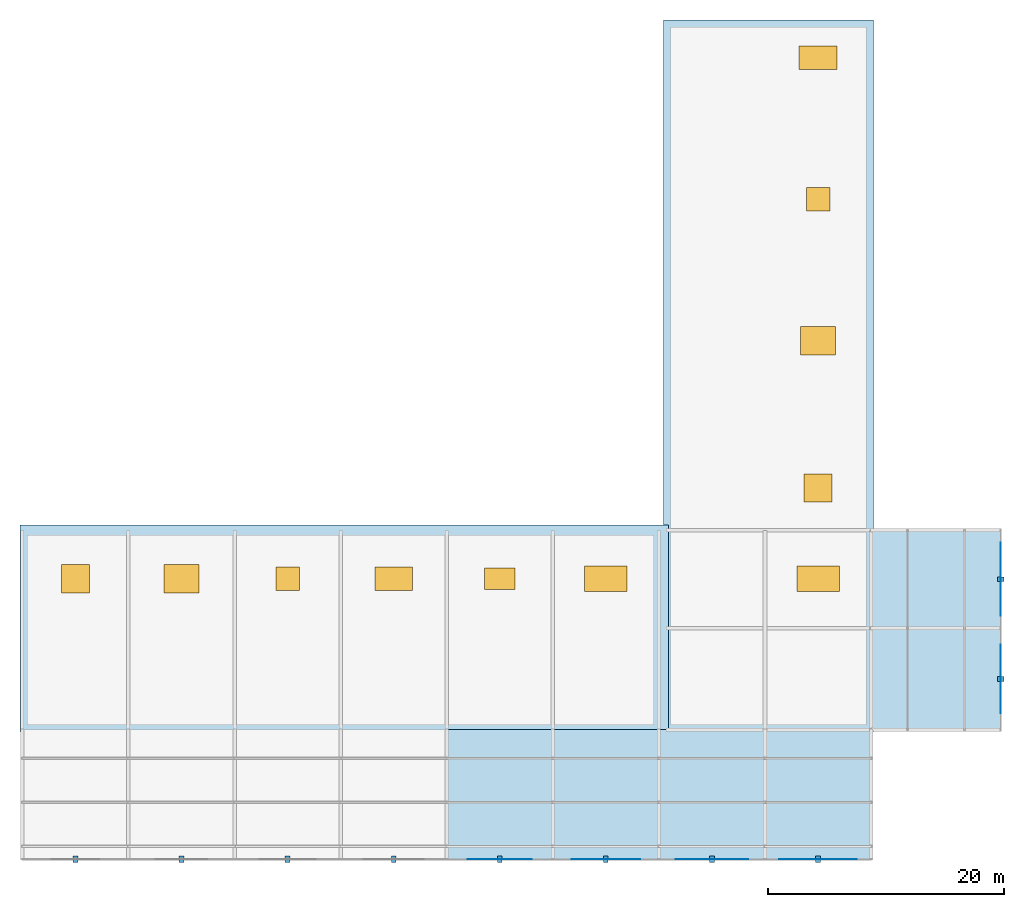
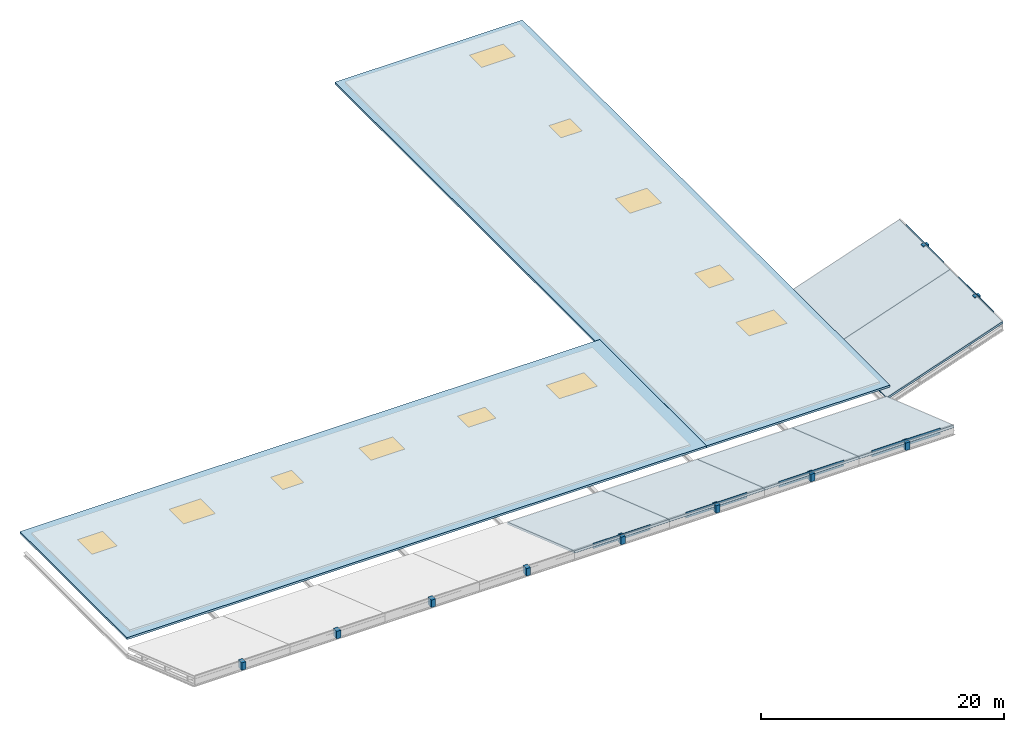
# One storey, part 2 of 3: 11 windows, 10 discrete accessories, 8 slabs, 6 plates, 11 openings, 3 elements without a shape of their own.
"""IFC4 building model written with IfcOpenShell, lengths in metres."""

from ifc_helpers import new_model, si_unit, direction, frame, origin, origin_2d, place, context, subcontext, project, spatial, polyline, rectangle, outline, extrude, material, layer, layer_set, type_object, element, fill, aggregate, save


model = new_model("IFC4")

# Units and contexts
model_context = context("Model", 3, precision=1e-05, world=origin(), true_north=direction((0.0, 1.0)))
body_context = subcontext(model_context, "Body", "Model", "MODEL_VIEW")
ifc_project = project(units=[si_unit("LENGTHUNIT", "METRE"), si_unit("AREAUNIT", "SQUARE_METRE"), si_unit("VOLUMEUNIT", "CUBIC_METRE"), si_unit("PLANEANGLEUNIT", "RADIAN"), si_unit("MASSUNIT", "GRAM", prefix="KILO")], contexts=[model_context])

# Site, building, storey
site_placement = place(None, origin())
site = spatial("IfcSite", under=ifc_project, at=site_placement, CompositionType="ELEMENT")
building_placement = place(site_placement, origin())
building = spatial("IfcBuilding", under=site, at=building_placement, Name="Kaldris Quays Convention Centre", CompositionType="ELEMENT")
storey_placement = place(building_placement, frame((0.0, 0.0, 26.39990234375)))
storey = spatial("IfcBuildingStorey", under=building, at=storey_placement, Name="RF", CompositionType="ELEMENT", Elevation=26.39990234375)

# Roof, slabs, openings, windows
ifc_material_1 = material(Name="Concrete C35/45", Category="concrete")
ifc_layer_1 = layer(ifc_material_1, 0.205078125)
ifc_layer_set_1 = layer_set([ifc_layer_1], Name="Concrete C35/45")
roof_type_1 = type_object("IfcRoofType", Name="GREEN FLAT ROOF RF03", PredefinedType="FLAT_ROOF", material=ifc_layer_set_1)
roof_1_placement = place(storey_placement, origin())
roof_1 = element("IfcRoof", 1, at=roof_1_placement, inside=storey, type_object=roof_type_1, Name="V4 High Green Roof Assembly", PredefinedType="FLAT_ROOF")
ifc_layer_2 = layer(ifc_material_1, 0.205078125)
ifc_layer_set_2 = layer_set([ifc_layer_2], Name="Concrete C35/45")
slab_type_1 = type_object("IfcSlabType", Name="STRUCTURAL SLAB RS01", PredefinedType="ROOF", material=ifc_layer_set_2)
slab_1_placement = place(storey_placement, frame((0.0, 0.0, -0.204833984375)))
slab_1 = element("IfcSlab", 2, at=slab_1_placement, type_object=slab_type_1, Name="RF V4 High Roof South SLAB-RF-V4S", PredefinedType="ROOF", context=body_context, shape_type="SweptSolid", body=[
    extrude(outline(polyline([(146.800048828125, 37.800048828125), (146.800048828125, 55.375), (91.800048828125, 55.375), (91.800048828125, 37.800048828125), (146.800048828125, 37.800048828125)])), origin(), (0.0, 0.0, 1.0), 0.204833984375),
])
opening_1_placement = place(slab_1_placement, frame((96.5, 50.800048828125, 0.0)))
opening_1 = element("IfcOpeningElement", 3, at=opening_1_placement, cuts=slab_1, Name="Opening SK01", PredefinedType="OPENING", context=body_context, shape_type="SweptSolid", body=[
    extrude(rectangle(XDim=2.39990234375, YDim=2.39990234375, at=origin_2d()), frame((0.0, 0.0, -0.010009765625)), (0.0, 0.0, 1.0), 0.224853515625),
])
opening_2_placement = place(slab_1_placement, frame((105.5, 50.800048828125, 0.0)))
opening_2 = element("IfcOpeningElement", 4, at=opening_2_placement, cuts=slab_1, Name="Opening SK02", PredefinedType="OPENING", context=body_context, shape_type="SweptSolid", body=[
    extrude(rectangle(XDim=3.0, YDim=2.39990234375, at=origin_2d()), frame((0.0, 0.0, -0.010009765625)), (0.0, 0.0, 1.0), 0.224853515625),
])
opening_3_placement = place(slab_1_placement, frame((114.5, 50.800048828125, 0.0)))
opening_3 = element("IfcOpeningElement", 5, at=opening_3_placement, cuts=slab_1, Name="Opening SK03", PredefinedType="OPENING", context=body_context, shape_type="SweptSolid", body=[
    extrude(rectangle(XDim=2.0, YDim=2.0, at=origin_2d()), frame((0.0, 0.0, -0.010009765625)), (0.0, 0.0, 1.0), 0.224853515625),
])
opening_4_placement = place(slab_1_placement, frame((123.5, 50.800048828125, 0.0)))
opening_4 = element("IfcOpeningElement", 6, at=opening_4_placement, cuts=slab_1, Name="Opening SK04", PredefinedType="OPENING", context=body_context, shape_type="SweptSolid", body=[
    extrude(rectangle(XDim=3.199951171875, YDim=2.0, at=origin_2d()), frame((0.0, 0.0, -0.010009765625)), (0.0, 0.0, 1.0), 0.224853515625),
])
opening_5_placement = place(slab_1_placement, frame((132.5, 50.800048828125, 0.0)))
opening_5 = element("IfcOpeningElement", 7, at=opening_5_placement, cuts=slab_1, Name="Opening SK05", PredefinedType="OPENING", context=body_context, shape_type="SweptSolid", body=[
    extrude(rectangle(XDim=2.60009765625, YDim=1.800048828125, at=origin_2d()), frame((0.0, 0.0, -0.010009765625)), (0.0, 0.0, 1.0), 0.224853515625),
])
opening_6_placement = place(slab_1_placement, frame((141.5, 50.800048828125, 0.0)))
opening_6 = element("IfcOpeningElement", 8, at=opening_6_placement, cuts=slab_1, Name="Opening SK06", PredefinedType="OPENING", context=body_context, shape_type="SweptSolid", body=[
    extrude(rectangle(XDim=3.60009765625, YDim=2.199951171875, at=origin_2d()), frame((0.0, 0.0, -0.010009765625)), (0.0, 0.0, 1.0), 0.224853515625),
])
ifc_material_2 = material(Name="Triple low-E insulated glazing", Category="glass")
window_type_1 = type_object("IfcWindowType", Name="TRIPLE GLAZED SKYLIGHT SK01", PartitioningType="SINGLE_PANEL", PredefinedType="SKYLIGHT", material=ifc_material_2)
window_1_placement = place(opening_1_placement, frame((0.0, 0.0, 0.15478515625)))
window_1 = element("IfcWindow", 9, at=window_1_placement, inside=storey, type_object=window_type_1, Name="RF Roof Skylight and RWA Smoke Hatch SK01 1", OverallHeight=2.39990234375, OverallWidth=2.39990234375, PartitioningType="SINGLE_PANEL", PredefinedType="SKYLIGHT", context=body_context, shape_type="SweptSolid", body=[
    extrude(rectangle(XDim=2.39990234375, YDim=2.39990234375, at=origin_2d()), origin(), (0.0, 0.0, 1.0), 0.050048828125),
])
fill(opening_1, window_1)
window_type_2 = type_object("IfcWindowType", Name="TRIPLE GLAZED SKYLIGHT SK02", PartitioningType="SINGLE_PANEL", PredefinedType="SKYLIGHT", material=ifc_material_2)
window_2_placement = place(opening_2_placement, frame((0.0, 0.0, 0.15478515625)))
window_2 = element("IfcWindow", 10, at=window_2_placement, inside=storey, type_object=window_type_2, Name="RF Roof Skylight and RWA Smoke Hatch SK02 2", OverallHeight=2.39990234375, OverallWidth=3.0, PartitioningType="SINGLE_PANEL", PredefinedType="SKYLIGHT", context=body_context, shape_type="SweptSolid", body=[
    extrude(rectangle(XDim=3.0, YDim=2.39990234375, at=origin_2d()), origin(), (0.0, 0.0, 1.0), 0.050048828125),
])
fill(opening_2, window_2)
window_type_3 = type_object("IfcWindowType", Name="TRIPLE GLAZED SKYLIGHT SK03", PartitioningType="SINGLE_PANEL", PredefinedType="SKYLIGHT", material=ifc_material_2)
window_3_placement = place(opening_3_placement, frame((0.0, 0.0, 0.15478515625)))
window_3 = element("IfcWindow", 11, at=window_3_placement, inside=storey, type_object=window_type_3, Name="RF Roof Skylight and RWA Smoke Hatch SK03 3", OverallHeight=2.0, OverallWidth=2.0, PartitioningType="SINGLE_PANEL", PredefinedType="SKYLIGHT", context=body_context, shape_type="SweptSolid", body=[
    extrude(rectangle(XDim=2.0, YDim=2.0, at=origin_2d()), origin(), (0.0, 0.0, 1.0), 0.050048828125),
])
fill(opening_3, window_3)
window_type_4 = type_object("IfcWindowType", Name="TRIPLE GLAZED SKYLIGHT SK04", PartitioningType="SINGLE_PANEL", PredefinedType="SKYLIGHT", material=ifc_material_2)
window_4_placement = place(opening_4_placement, frame((0.0, 0.0, 0.15478515625)))
window_4 = element("IfcWindow", 12, at=window_4_placement, inside=storey, type_object=window_type_4, Name="RF Roof Skylight and RWA Smoke Hatch SK04 4", OverallHeight=2.0, OverallWidth=3.199951171875, PartitioningType="SINGLE_PANEL", PredefinedType="SKYLIGHT", context=body_context, shape_type="SweptSolid", body=[
    extrude(rectangle(XDim=3.199951171875, YDim=2.0, at=origin_2d()), origin(), (0.0, 0.0, 1.0), 0.050048828125),
])
fill(opening_4, window_4)
window_type_5 = type_object("IfcWindowType", Name="TRIPLE GLAZED SKYLIGHT SK05", PartitioningType="SINGLE_PANEL", PredefinedType="SKYLIGHT", material=ifc_material_2)
window_5_placement = place(opening_5_placement, frame((0.0, 0.0, 0.15478515625)))
window_5 = element("IfcWindow", 13, at=window_5_placement, inside=storey, type_object=window_type_5, Name="RF Roof Skylight and RWA Smoke Hatch SK05 5", OverallHeight=1.800048828125, OverallWidth=2.60009765625, PartitioningType="SINGLE_PANEL", PredefinedType="SKYLIGHT", context=body_context, shape_type="SweptSolid", body=[
    extrude(rectangle(XDim=2.60009765625, YDim=1.800048828125, at=origin_2d()), origin(), (0.0, 0.0, 1.0), 0.050048828125),
])
fill(opening_5, window_5)
window_type_6 = type_object("IfcWindowType", Name="TRIPLE GLAZED SKYLIGHT SK06", PartitioningType="SINGLE_PANEL", PredefinedType="SKYLIGHT", material=ifc_material_2)
window_6_placement = place(opening_6_placement, frame((0.0, 0.0, 0.15478515625)))
window_6 = element("IfcWindow", 14, at=window_6_placement, inside=storey, type_object=window_type_6, Name="RF Roof Skylight and RWA Smoke Hatch SK06 6", OverallHeight=2.199951171875, OverallWidth=3.60009765625, PartitioningType="SINGLE_PANEL", PredefinedType="SKYLIGHT", context=body_context, shape_type="SweptSolid", body=[
    extrude(rectangle(XDim=3.60009765625, YDim=2.199951171875, at=origin_2d()), origin(), (0.0, 0.0, 1.0), 0.050048828125),
])
fill(opening_6, window_6)
slab_2_placement = place(storey_placement, frame((0.0, 0.0, -0.204833984375)))
slab_2 = element("IfcSlab", 15, at=slab_2_placement, type_object=slab_type_1, Name="RF V4 High Roof East SLAB-RF-V4E", PredefinedType="ROOF", context=body_context, shape_type="SweptSolid", body=[
    extrude(outline(polyline([(146.39990234375, 98.199951171875), (164.199951171875, 98.199951171875), (164.199951171875, 37.800048828125), (146.802001953125, 37.800048828125), (146.802001953125, 55.375), (146.39990234375, 55.376953125), (146.39990234375, 98.199951171875)])), origin(), (0.0, 0.0, 1.0), 0.204833984375),
])
opening_7_placement = place(slab_2_placement, frame((159.5, 50.800048828125, 0.0)))
opening_7 = element("IfcOpeningElement", 16, at=opening_7_placement, cuts=slab_2, Name="Opening SK06", PredefinedType="OPENING", context=body_context, shape_type="SweptSolid", body=[
    extrude(rectangle(XDim=3.60009765625, YDim=2.199951171875, at=origin_2d()), frame((0.0, 0.0, -0.010009765625)), (0.0, 0.0, 1.0), 0.224853515625),
])
opening_8_placement = place(slab_2_placement, frame((159.5, 58.5, 0.0)))
opening_8 = element("IfcOpeningElement", 17, at=opening_8_placement, cuts=slab_2, Name="Opening SK01", PredefinedType="OPENING", context=body_context, shape_type="SweptSolid", body=[
    extrude(rectangle(XDim=2.39990234375, YDim=2.39990234375, at=origin_2d()), frame((0.0, 0.0, -0.010009765625)), (0.0, 0.0, 1.0), 0.224853515625),
])
opening_9_placement = place(slab_2_placement, frame((159.5, 71.0, 0.0)))
opening_9 = element("IfcOpeningElement", 18, at=opening_9_placement, cuts=slab_2, Name="Opening SK02", PredefinedType="OPENING", context=body_context, shape_type="SweptSolid", body=[
    extrude(rectangle(XDim=3.0, YDim=2.39990234375, at=origin_2d()), frame((0.0, 0.0, -0.010009765625)), (0.0, 0.0, 1.0), 0.224853515625),
])
opening_10_placement = place(slab_2_placement, frame((159.5, 83.0, 0.0)))
opening_10 = element("IfcOpeningElement", 19, at=opening_10_placement, cuts=slab_2, Name="Opening SK03", PredefinedType="OPENING", context=body_context, shape_type="SweptSolid", body=[
    extrude(rectangle(XDim=2.0, YDim=2.0, at=origin_2d()), frame((0.0, 0.0, -0.010009765625)), (0.0, 0.0, 1.0), 0.224853515625),
])
opening_11_placement = place(slab_2_placement, frame((159.5, 95.0, 0.0)))
opening_11 = element("IfcOpeningElement", 20, at=opening_11_placement, cuts=slab_2, Name="Opening SK04", PredefinedType="OPENING", context=body_context, shape_type="SweptSolid", body=[
    extrude(rectangle(XDim=3.199951171875, YDim=2.0, at=origin_2d()), frame((0.0, 0.0, -0.010009765625)), (0.0, 0.0, 1.0), 0.224853515625),
])
window_7_placement = place(opening_8_placement, frame((0.0, 0.0, 0.15478515625)))
window_7 = element("IfcWindow", 21, at=window_7_placement, inside=storey, type_object=window_type_1, Name="RF Roof Skylight and RWA Smoke Hatch SK01 8", OverallHeight=2.39990234375, OverallWidth=2.39990234375, PartitioningType="SINGLE_PANEL", PredefinedType="SKYLIGHT", context=body_context, shape_type="SweptSolid", body=[
    extrude(rectangle(XDim=2.39990234375, YDim=2.39990234375, at=origin_2d()), origin(), (0.0, 0.0, 1.0), 0.050048828125),
])
fill(opening_8, window_7)
window_8_placement = place(opening_9_placement, frame((0.0, 0.0, 0.15478515625)))
window_8 = element("IfcWindow", 22, at=window_8_placement, inside=storey, type_object=window_type_2, Name="RF Roof Skylight and RWA Smoke Hatch SK02 9", OverallHeight=2.39990234375, OverallWidth=3.0, PartitioningType="SINGLE_PANEL", PredefinedType="SKYLIGHT", context=body_context, shape_type="SweptSolid", body=[
    extrude(rectangle(XDim=3.0, YDim=2.39990234375, at=origin_2d()), origin(), (0.0, 0.0, 1.0), 0.050048828125),
])
fill(opening_9, window_8)
window_9_placement = place(opening_10_placement, frame((0.0, 0.0, 0.15478515625)))
window_9 = element("IfcWindow", 23, at=window_9_placement, inside=storey, type_object=window_type_3, Name="RF Roof Skylight and RWA Smoke Hatch SK03 10", OverallHeight=2.0, OverallWidth=2.0, PartitioningType="SINGLE_PANEL", PredefinedType="SKYLIGHT", context=body_context, shape_type="SweptSolid", body=[
    extrude(rectangle(XDim=2.0, YDim=2.0, at=origin_2d()), origin(), (0.0, 0.0, 1.0), 0.050048828125),
])
fill(opening_10, window_9)
window_10_placement = place(opening_11_placement, frame((0.0, 0.0, 0.15478515625)))
window_10 = element("IfcWindow", 24, at=window_10_placement, inside=storey, type_object=window_type_4, Name="RF Roof Skylight and RWA Smoke Hatch SK04 11", OverallHeight=2.0, OverallWidth=3.199951171875, PartitioningType="SINGLE_PANEL", PredefinedType="SKYLIGHT", context=body_context, shape_type="SweptSolid", body=[
    extrude(rectangle(XDim=3.199951171875, YDim=2.0, at=origin_2d()), origin(), (0.0, 0.0, 1.0), 0.050048828125),
])
fill(opening_11, window_10)
window_11_placement = place(opening_7_placement, frame((0.0, 0.0, 0.15478515625)))
window_11 = element("IfcWindow", 25, at=window_11_placement, inside=storey, type_object=window_type_6, Name="RF Roof Skylight and RWA Smoke Hatch SK06 7", OverallHeight=2.199951171875, OverallWidth=3.60009765625, PartitioningType="SINGLE_PANEL", PredefinedType="SKYLIGHT", context=body_context, shape_type="SweptSolid", body=[
    extrude(rectangle(XDim=3.60009765625, YDim=2.199951171875, at=origin_2d()), origin(), (0.0, 0.0, 1.0), 0.050048828125),
])
fill(opening_7, window_11)
aggregate(roof_1, [slab_1, slab_2])

# Roof, slabs
ifc_material_3 = material(Name="Steel S355J2", Category="steel")
ifc_layer_3 = layer(ifc_material_3, 0.196044921875)
ifc_layer_set_3 = layer_set([ifc_layer_3], Name="Steel S355J2")
roof_type_2 = type_object("IfcRoofType", Name="WING SHED ROOF RF02", PredefinedType="SHED_ROOF", material=ifc_layer_set_3)
roof_2_placement = place(storey_placement, origin())
roof_2 = element("IfcRoof", 26, at=roof_2_placement, inside=storey, type_object=roof_type_2, Name="Rhine Promenade Crown Foyer Raised Wing Roof", PredefinedType="SHED_ROOF")
ifc_layer_4 = layer(ifc_material_3, 0.196044921875)
ifc_layer_set_4 = layer_set([ifc_layer_4], Name="Steel S355J2")
slab_type_2 = type_object("IfcSlabType", Name="STRUCTURAL SLAB WR01", PredefinedType="ROOF", material=ifc_layer_set_4)
slab_3_placement = place(storey_placement, frame((128.0, 27.0, 2.587890625), z_axis=(0.0, 0.325567686474, 0.945518736739), x_axis=(1.0, 0.0, 0.0)))
slab_3 = element("IfcSlab", 27, at=slab_3_placement, type_object=slab_type_2, Name="WR-SOUTH-CROWN Tilted Wing Roof Slab 5", PredefinedType="ROOF", context=body_context, shape_type="SweptSolid", body=[
    extrude(outline(polyline([(0.0, 0.0), (9.0, 0.0), (9.0, 11.633825510365472), (0.0, 11.633825510365472), (0.0, 0.0)])), origin(), (0.0, 0.0, -1.0), 0.196044921875),
])
slab_4_placement = place(storey_placement, frame((137.0, 27.0, 2.587890625), z_axis=(0.0, 0.325567686474, 0.945518736739), x_axis=(1.0, 0.0, 0.0)))
slab_4 = element("IfcSlab", 28, at=slab_4_placement, type_object=slab_type_2, Name="WR-SOUTH-CROWN Tilted Wing Roof Slab 6", PredefinedType="ROOF", context=body_context, shape_type="SweptSolid", body=[
    extrude(outline(polyline([(0.0, 0.0), (9.0, 0.0), (9.0, 11.633825510365472), (0.0, 11.633825510365472), (0.0, 0.0)])), origin(), (0.0, 0.0, -1.0), 0.196044921875),
])
slab_5_placement = place(storey_placement, frame((146.0, 27.0, 2.587890625), z_axis=(0.0, 0.325567686474, 0.945518736739), x_axis=(1.0, 0.0, 0.0)))
slab_5 = element("IfcSlab", 29, at=slab_5_placement, type_object=slab_type_2, Name="WR-SOUTH-CROWN Tilted Wing Roof Slab 7", PredefinedType="ROOF", context=body_context, shape_type="SweptSolid", body=[
    extrude(outline(polyline([(0.0, 0.0), (9.0, 0.0), (9.0, 11.633825510365472), (0.0, 11.633825510365472), (0.0, 0.0)])), origin(), (0.0, 0.0, -1.0), 0.196044921875),
])
slab_6_placement = place(storey_placement, frame((155.0, 27.0, 2.587890625), z_axis=(0.0, 0.325567686474, 0.945518736739), x_axis=(1.0, 0.0, 0.0)))
slab_6 = element("IfcSlab", 30, at=slab_6_placement, type_object=slab_type_2, Name="WR-SOUTH-CROWN Tilted Wing Roof Slab 8", PredefinedType="ROOF", context=body_context, shape_type="SweptSolid", body=[
    extrude(outline(polyline([(0.0, 0.0), (9.0, 0.0), (9.0, 11.633825510365472), (0.0, 11.633825510365472), (0.0, 0.0)])), origin(), (0.0, 0.0, -1.0), 0.196044921875),
])
aggregate(roof_2, [slab_3, slab_4, slab_5, slab_6])

roof_3_placement = place(storey_placement, origin())
roof_3 = element("IfcRoof", 31, at=roof_3_placement, inside=storey, type_object=roof_type_2, Name="East Harbour Foyer Raised Cantilever Wing Roof", PredefinedType="SHED_ROOF")
slab_7_placement = place(storey_placement, frame((164.0, 38.0, -1.3095703125), z_axis=(-0.325567686474, 0.0, 0.945518736739), x_axis=(0.945518736739, 0.0, 0.325567686474)))
slab_7 = element("IfcSlab", 32, at=slab_7_placement, type_object=slab_type_2, Name="WR-EAST Tilted Wing Roof Slab 1", PredefinedType="ROOF", context=body_context, shape_type="SweptSolid", body=[
    extrude(outline(polyline([(0.0, 0.0), (11.633825510365476, 0.0), (11.633825510365476, 8.600097656250002), (0.0, 8.600097656250002), (0.0, 0.0)])), origin(), (0.0, 0.0, -1.0), 0.196044921875),
])
slab_8_placement = place(storey_placement, frame((164.0, 46.60009765625, -1.3095703125), z_axis=(-0.325567686474, 0.0, 0.945518736739), x_axis=(0.945518736739, 0.0, 0.325567686474)))
slab_8 = element("IfcSlab", 33, at=slab_8_placement, type_object=slab_type_2, Name="WR-EAST Tilted Wing Roof Slab 2", PredefinedType="ROOF", context=body_context, shape_type="SweptSolid", body=[
    extrude(outline(polyline([(0.0, 0.0), (11.633825510365476, 0.0), (11.633825510365476, 8.2998046875), (0.0, 8.2998046875), (0.0, 0.0)])), origin(), (0.0, 0.0, -1.0), 0.196044921875),
])
aggregate(roof_3, [slab_7, slab_8])

# Plates
ifc_material_4 = material(Name="Alabaster white star-pierced anodized aluminium panel", Category="aluminium")
plate_type_1 = type_object("IfcPlateType", Name="WING EAVE FASCIA SHEET FP06", PredefinedType="SHEET", material=ifc_material_4)
plate_1_placement = place(storey_placement, frame((132.5, 27.0, 2.1728515625), z_axis=(0.0, 0.0, 1.0), x_axis=(1.0, 0.0, 0.0)))
element("IfcPlate", 34, at=plate_1_placement, inside=storey, type_object=plate_type_1, Name="WR-SOUTH-CROWN Wing Eave Fascia Sheet FP06 6", PredefinedType="SHEET", context=body_context, shape_type="SweptSolid", body=[
    extrude(rectangle(XDim=5.4599609375, YDim=0.01806640625, at=origin_2d()), origin(), (0.0, 0.0, 1.0), 0.550048828125),
])
plate_type_2 = type_object("IfcPlateType", Name="WING EAVE FASCIA SHEET FP07", PredefinedType="SHEET", material=ifc_material_4)
for number, where, z_axis, x_axis, name in (
    (35, (141.5, 27.0, 2.155517578125), (0.0, 0.0, 1.0), (1.0, 0.0, 0.0), "WR-SOUTH-CROWN Wing Eave Fascia Sheet FP07 7"),
    (36, (175.0, 42.300048828125, 2.04541015625), (0.0, 0.0, 1.0), (0.0, 1.0, 0.0), "WR-EAST Wing Eave Fascia Sheet FP07 17"),
):
    element("IfcPlate", number, at=place(storey_placement, frame(where, z_axis=z_axis, x_axis=x_axis)), inside=storey, type_object=plate_type_2, Name=name, PredefinedType="SHEET", context=body_context, shape_type="SweptSolid", body=[
        extrude(rectangle(XDim=5.820068359375, YDim=0.02001953125, at=origin_2d()), origin(), (0.0, 0.0, 1.0), 0.5849609375),
    ])
plate_type_3 = type_object("IfcPlateType", Name="WING EAVE FASCIA SHEET FP08", PredefinedType="SHEET", material=ifc_material_4)
for number, where, z_axis, x_axis, name in (
    (37, (150.5, 27.0, 2.137939453125), (0.0, 0.0, 1.0), (1.0, 0.0, 0.0), "WR-SOUTH-CROWN Wing Eave Fascia Sheet FP08 8"),
    (38, (175.0, 50.75, 2.02783203125), (0.0, 0.0, 1.0), (0.0, 1.0, 0.0), "WR-EAST Wing Eave Fascia Sheet FP08 18"),
):
    element("IfcPlate", number, at=place(storey_placement, frame(where, z_axis=z_axis, x_axis=x_axis)), inside=storey, type_object=plate_type_3, Name=name, PredefinedType="SHEET", context=body_context, shape_type="SweptSolid", body=[
        extrude(rectangle(XDim=6.179931640625, YDim=0.013916015625, at=origin_2d()), origin(), (0.0, 0.0, 1.0), 0.6201171875),
    ])
plate_type_4 = type_object("IfcPlateType", Name="WING EAVE FASCIA SHEET FP09", PredefinedType="SHEET", material=ifc_material_4)
plate_2_placement = place(storey_placement, frame((159.5, 27.0, 2.12060546875), z_axis=(0.0, 0.0, 1.0), x_axis=(1.0, 0.0, 0.0)))
element("IfcPlate", 39, at=plate_2_placement, inside=storey, type_object=plate_type_4, Name="WR-SOUTH-CROWN Wing Eave Fascia Sheet FP09 9", PredefinedType="SHEET", context=body_context, shape_type="SweptSolid", body=[
    extrude(rectangle(XDim=6.5400390625, YDim=0.01611328125, at=origin_2d()), origin(), (0.0, 0.0, 1.0), 0.655029296875),
])

# Discrete accessories
discrete_accessory_type = type_object("IfcDiscreteAccessoryType", Name="SCREEN OUTRIGGER BRACKET BK01", PredefinedType="BRACKET", material=ifc_material_3)
for number, where, z_axis, x_axis, name in (
    (40, (96.5, 27.0, 1.863037109375), (0.0, 0.0, 1.0), (1.0, 0.0, 0.0), "WR-SOUTH-CROWN Wing Eave Fascia Bracket 2"),
    (41, (105.5, 27.0, 1.863037109375), (0.0, 0.0, 1.0), (1.0, 0.0, 0.0), "WR-SOUTH-CROWN Wing Eave Fascia Bracket 3"),
    (42, (114.5, 27.0, 1.863037109375), (0.0, 0.0, 1.0), (1.0, 0.0, 0.0), "WR-SOUTH-CROWN Wing Eave Fascia Bracket 4"),
    (43, (123.5, 27.0, 1.863037109375), (0.0, 0.0, 1.0), (1.0, 0.0, 0.0), "WR-SOUTH-CROWN Wing Eave Fascia Bracket 5"),
    (44, (132.5, 27.0, 1.863037109375), (0.0, 0.0, 1.0), (1.0, 0.0, 0.0), "WR-SOUTH-CROWN Wing Eave Fascia Bracket 6"),
    (45, (141.5, 27.0, 1.863037109375), (0.0, 0.0, 1.0), (1.0, 0.0, 0.0), "WR-SOUTH-CROWN Wing Eave Fascia Bracket 7"),
    (46, (150.5, 27.0, 1.863037109375), (0.0, 0.0, 1.0), (1.0, 0.0, 0.0), "WR-SOUTH-CROWN Wing Eave Fascia Bracket 8"),
    (47, (159.5, 27.0, 1.863037109375), (0.0, 0.0, 1.0), (1.0, 0.0, 0.0), "WR-SOUTH-CROWN Wing Eave Fascia Bracket 9"),
    (48, (175.0, 42.300048828125, 1.7529296875), (0.0, 0.0, 1.0), (0.0, 1.0, 0.0), "WR-EAST Wing Eave Fascia Bracket 17"),
    (49, (175.0, 50.75, 1.7529296875), (0.0, 0.0, 1.0), (0.0, 1.0, 0.0), "WR-EAST Wing Eave Fascia Bracket 18"),
):
    element("IfcDiscreteAccessory", number, at=place(storey_placement, frame(where, z_axis=z_axis, x_axis=x_axis)), inside=storey, type_object=discrete_accessory_type, Name=name, PredefinedType="BRACKET", context=body_context, shape_type="SweptSolid", body=[
        extrude(rectangle(XDim=0.39990234375, YDim=0.550048828125, at=origin_2d()), origin(), (0.0, 0.0, 1.0), 0.75),
    ])

save(model, "model.ifc")
